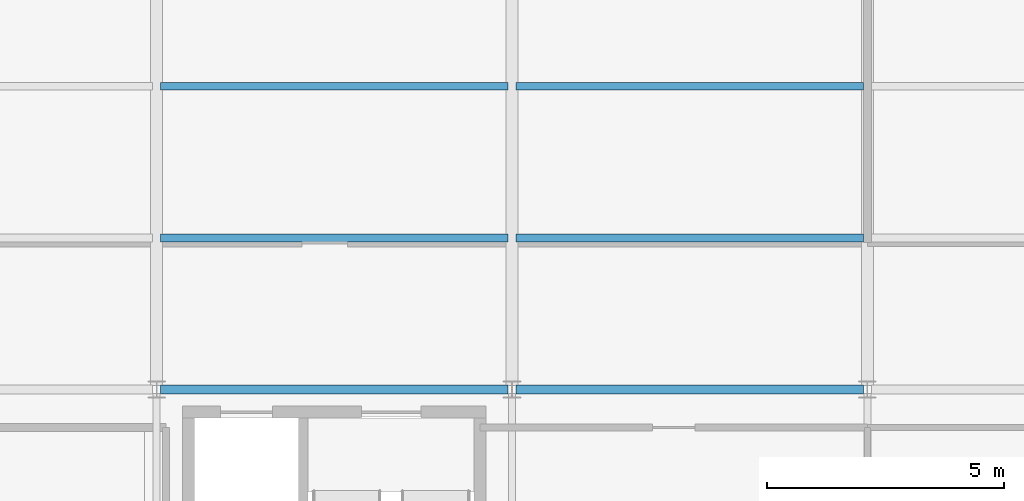
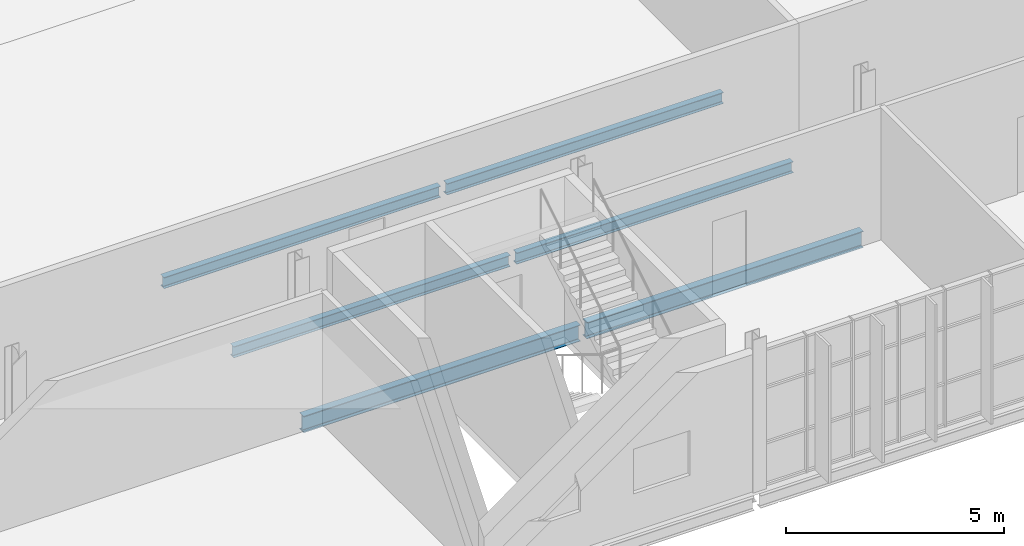
# One storey, part 27 of 324: 6 beams.
"""IFC4 building model written with IfcOpenShell, lengths in metres."""

from ifc_helpers import new_model, si_unit, direction, frame, origin, origin_2d, place, context, subcontext, project, spatial, i_section, extrude, material, material_profile, profile_set, type_object, element, save


model = new_model("IFC4")

# Units and contexts
model_context = context("Model", 3, precision=1e-05, world=origin(), true_north=direction((0.0, 1.0)))
body_context = subcontext(model_context, "Body", "Model", "MODEL_VIEW")
ifc_project = project(units=[si_unit("LENGTHUNIT", "METRE"), si_unit("AREAUNIT", "SQUARE_METRE"), si_unit("VOLUMEUNIT", "CUBIC_METRE"), si_unit("PLANEANGLEUNIT", "RADIAN"), si_unit("MASSUNIT", "GRAM", prefix="KILO")], contexts=[model_context])

# Site, building, storey
site_placement = place(None, origin())
site = spatial("IfcSite", under=ifc_project, at=site_placement, CompositionType="ELEMENT")
building_placement = place(site_placement, origin())
building = spatial("IfcBuilding", under=site, at=building_placement, Name="Solvenia Promenade Tram Depot", CompositionType="ELEMENT")
storey_placement = place(building_placement, frame((0.0, 0.0, 4.5)))
storey = spatial("IfcBuildingStorey", under=building, at=storey_placement, Name="L01", CompositionType="ELEMENT", Elevation=4.5)

# Beams
ifc_material = material(Name="Structural steel ASTM A992 Gr. 50", Category="steel")
ifc_material_profile_1 = material_profile(ifc_material, i_section(OverallWidth=0.19091796875, OverallDepth=0.4599609375, WebThickness=0.010009765625, FlangeThickness=0.01611328125, FilletRadius=0.012939453125, at=origin_2d()), Name="W460x82", Category="steel")
ifc_profile_set_1 = profile_set([ifc_material_profile_1], Name="Structural steel ASTM A992 Gr. 50")
beam_type_1 = type_object("IfcBeamType", Name="Beam-W460x82", PredefinedType="BEAM", material=ifc_profile_set_1)
for number, where, z_axis, x_axis, name in (
    (1, (30.0849609375, 8.0, -0.449951171875), (1.0, 0.0, 0.0), (0.0, 1.0, 0.0), "Primary Girder BM-L01-0316"),
    (2, (37.5849609375, 8.0, -0.449951171875), (1.0, 0.0, 0.0), (0.0, 1.0, 0.0), "Primary Girder BM-L01-0317"),
):
    element("IfcBeam", number, at=place(storey_placement, frame(where, z_axis=z_axis, x_axis=x_axis)), inside=storey, type_object=beam_type_1, Name=name, PredefinedType="BEAM", context=body_context, shape_type="SweptSolid", body=[
        extrude(i_section(OverallWidth=0.19091796875, OverallDepth=0.4599609375, WebThickness=0.010009765625, FlangeThickness=0.01611328125, FilletRadius=0.012939453125, at=origin_2d()), origin(), (0.0, 0.0, 1.0), 7.330078125),
    ])
ifc_material_profile_2 = material_profile(ifc_material, i_section(OverallWidth=0.166015625, OverallDepth=0.31298828125, WebThickness=0.006591796875, FlangeThickness=0.01123046875, FilletRadius=0.010009765625, at=origin_2d()), Name="W310x45", Category="steel")
ifc_profile_set_2 = profile_set([ifc_material_profile_2], Name="Structural steel ASTM A992 Gr. 50")
beam_type_2 = type_object("IfcBeamType", Name="Joist-W310x45", PredefinedType="JOIST", material=ifc_profile_set_2)
for number, where, z_axis, x_axis, name in (
    (3, (30.0849609375, 11.199951171875, -0.37646484375), (1.0, 0.0, 0.0), (0.0, 1.0, 0.0), "Secondary Floor Joist BM-L01-0376"),
    (4, (30.0849609375, 14.39990234375, -0.37646484375), (1.0, 0.0, 0.0), (0.0, 1.0, 0.0), "Secondary Floor Joist BM-L01-0377"),
    (5, (37.5849609375, 11.199951171875, -0.37646484375), (1.0, 0.0, 0.0), (0.0, 1.0, 0.0), "Secondary Floor Joist BM-L01-0382"),
    (6, (37.5849609375, 14.39990234375, -0.37646484375), (1.0, 0.0, 0.0), (0.0, 1.0, 0.0), "Secondary Floor Joist BM-L01-0383"),
):
    element("IfcBeam", number, at=place(storey_placement, frame(where, z_axis=z_axis, x_axis=x_axis)), inside=storey, type_object=beam_type_2, Name=name, PredefinedType="JOIST", context=body_context, shape_type="SweptSolid", body=[
        extrude(i_section(OverallWidth=0.166015625, OverallDepth=0.31298828125, WebThickness=0.006591796875, FlangeThickness=0.01123046875, FilletRadius=0.010009765625, at=origin_2d()), origin(), (0.0, 0.0, 1.0), 7.330078125),
    ])

save(model, "model.ifc")
